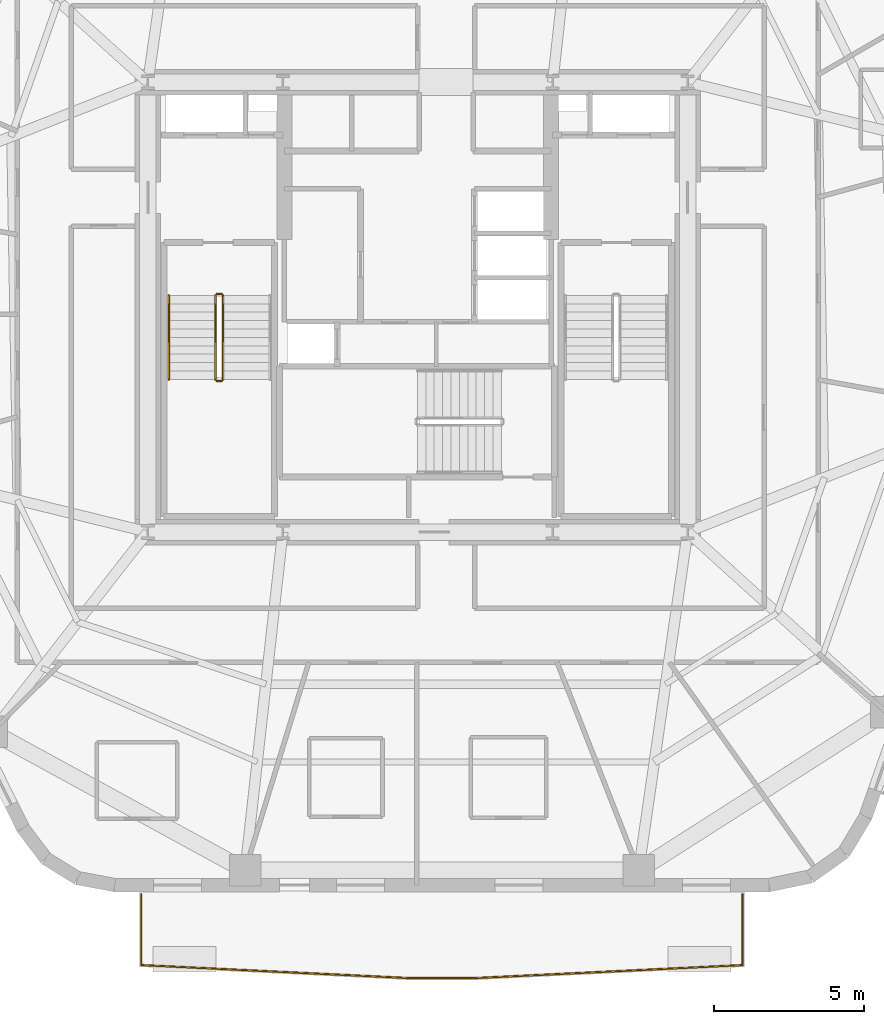
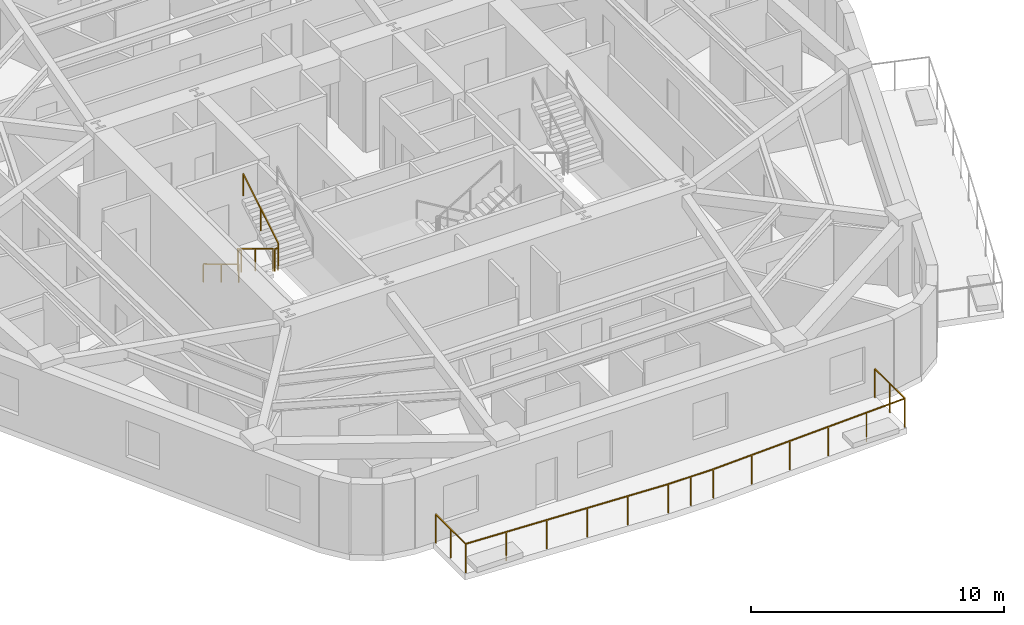
# One storey, part 8 of 11: 6 railings.
"""IFC4 building model written with IfcOpenShell, lengths in metres."""

from ifc_helpers import new_model, si_unit, direction, frame, origin, origin_2d, place, context, subcontext, project, spatial, rectangle, extrude, material, layer, layer_set, type_object, element, save


model = new_model("IFC4")

# Units and contexts
model_context = context("Model", 3, precision=1e-05, world=origin(), true_north=direction((0.0, 1.0)))
body_context = subcontext(model_context, "Body", "Model", "MODEL_VIEW")
ifc_project = project(units=[si_unit("LENGTHUNIT", "METRE"), si_unit("AREAUNIT", "SQUARE_METRE"), si_unit("VOLUMEUNIT", "CUBIC_METRE"), si_unit("PLANEANGLEUNIT", "RADIAN"), si_unit("MASSUNIT", "GRAM", prefix="KILO")], contexts=[model_context])

# Site, building, storey
site_placement = place(None, origin())
site = spatial("IfcSite", under=ifc_project, at=site_placement, CompositionType="ELEMENT")
building_placement = place(site_placement, origin())
building = spatial("IfcBuilding", under=site, at=building_placement, Name="Kilnhurst Terrace Hotel", CompositionType="ELEMENT")
storey_placement = place(building_placement, frame((0.0, 0.0, 162.800048828125)))
storey = spatial("IfcBuildingStorey", under=building, at=storey_placement, Name="L40", CompositionType="ELEMENT", Elevation=162.800048828125)

# Railings
ifc_material_1 = material(Name="Laminated SentryGlas and Stainless Steel AISI 316L Balustrade", Category="steel")
ifc_layer_1 = layer(ifc_material_1, 0.070068359375, Name="Laminated SentryGlas and Stainless Steel AISI 316L Balustrade")
ifc_layer_set_1 = layer_set([ifc_layer_1], Name="Laminated SentryGlas and Stainless Steel AISI 316L Balustrade")
railing_type_1 = type_object("IfcRailingType", Name="RLG-BAL-1420", PredefinedType="BALUSTRADE", material=ifc_layer_set_1)
railing_1_placement = place(storey_placement, frame((10.83349609375, -19.580078125, 0.0)))
element("IfcRailing", 1, at=railing_1_placement, inside=storey, type_object=railing_type_1, Name="L40 Exterior Terrace Guardrail BAL-L1A.1", PredefinedType="BALUSTRADE", context=body_context, shape_type="SweptSolid", body=[
    extrude(rectangle(XDim=0.048095703125, YDim=0.048095703125, at=origin_2d()), frame((0.0, 0.0, 1.39599609375), z_axis=(0.0, -1.0, 0.0), x_axis=(1.0, 0.0, 0.0)), (0.0, 0.0, 1.0), 2.36279296875),
    extrude(rectangle(XDim=0.048095703125, YDim=0.048095703125, at=origin_2d()), frame((0.0, -2.36279296875, 1.39599609375), z_axis=(-0.998822813861, -0.048507592295, 0.0), x_axis=(0.048507592295, -0.998822813861, 0.0)), (0.0, 0.0, 1.0), 9.009033203125),
    extrude(rectangle(XDim=0.048095703125, YDim=0.048095703125, at=origin_2d()), frame((-8.99853515625, -2.7998046875, 1.39599609375), z_axis=(-1.0, 0.0, 0.0), x_axis=(0.0, -1.0, 0.0)), (0.0, 0.0, 1.0), 2.0556640625),
    extrude(rectangle(XDim=0.048095703125, YDim=0.048095703125, at=origin_2d()), frame((-11.05419921875, -2.7998046875, 1.39599609375), z_axis=(-0.998822813861, 0.048507592295, 0.0), x_axis=(-0.048507592295, -0.998822813861, 0.0)), (0.0, 0.0, 1.0), 9.009033203125),
    extrude(rectangle(XDim=0.048095703125, YDim=0.048095703125, at=origin_2d()), frame((-20.052734375, -2.36279296875, 1.39599609375), z_axis=(0.0, 1.0, 0.0), x_axis=(-1.0, 0.0, 0.0)), (0.0, 0.0, 1.0), 2.36279296875),
    extrude(rectangle(XDim=0.0419921875, YDim=0.0419921875, at=origin_2d()), origin(), (0.0, 0.0, 1.0), 1.371826171875),
    extrude(rectangle(XDim=0.0419921875, YDim=0.0419921875, at=origin_2d()), frame((0.0, -1.181396484375, 0.0)), (0.0, 0.0, 1.0), 1.371826171875),
    extrude(rectangle(XDim=0.0419921875, YDim=0.0419921875, at=origin_2d()), frame((0.0, -2.36279296875, 0.0)), (0.0, 0.0, 1.0), 1.371826171875),
    extrude(rectangle(XDim=0.0419921875, YDim=0.0419921875, at=origin_2d()), frame((-1.7998046875, -2.4501953125, 0.0)), (0.0, 0.0, 1.0), 1.371826171875),
    extrude(rectangle(XDim=0.0419921875, YDim=0.0419921875, at=origin_2d()), frame((-3.599365234375, -2.53759765625, 0.0)), (0.0, 0.0, 1.0), 1.371826171875),
    extrude(rectangle(XDim=0.0419921875, YDim=0.0419921875, at=origin_2d()), frame((-5.399169921875, -2.625, 0.0)), (0.0, 0.0, 1.0), 1.371826171875),
    extrude(rectangle(XDim=0.0419921875, YDim=0.0419921875, at=origin_2d()), frame((-7.19873046875, -2.71240234375, 0.0)), (0.0, 0.0, 1.0), 1.371826171875),
    extrude(rectangle(XDim=0.0419921875, YDim=0.0419921875, at=origin_2d()), frame((-8.99853515625, -2.7998046875, 0.0)), (0.0, 0.0, 1.0), 1.371826171875),
    extrude(rectangle(XDim=0.0419921875, YDim=0.0419921875, at=origin_2d()), frame((-10.0263671875, -2.7998046875, 0.0)), (0.0, 0.0, 1.0), 1.371826171875),
    extrude(rectangle(XDim=0.0419921875, YDim=0.0419921875, at=origin_2d()), frame((-11.05419921875, -2.7998046875, 0.0)), (0.0, 0.0, 1.0), 1.371826171875),
    extrude(rectangle(XDim=0.0419921875, YDim=0.0419921875, at=origin_2d()), frame((-12.85400390625, -2.71240234375, 0.0)), (0.0, 0.0, 1.0), 1.371826171875),
    extrude(rectangle(XDim=0.0419921875, YDim=0.0419921875, at=origin_2d()), frame((-14.653564453125, -2.625, 0.0)), (0.0, 0.0, 1.0), 1.371826171875),
    extrude(rectangle(XDim=0.0419921875, YDim=0.0419921875, at=origin_2d()), frame((-16.453369140625, -2.53759765625, 0.0)), (0.0, 0.0, 1.0), 1.371826171875),
    extrude(rectangle(XDim=0.0419921875, YDim=0.0419921875, at=origin_2d()), frame((-18.2529296875, -2.4501953125, 0.0)), (0.0, 0.0, 1.0), 1.371826171875),
    extrude(rectangle(XDim=0.0419921875, YDim=0.0419921875, at=origin_2d()), frame((-20.052734375, -2.36279296875, 0.0)), (0.0, 0.0, 1.0), 1.371826171875),
    extrude(rectangle(XDim=0.0419921875, YDim=0.0419921875, at=origin_2d()), frame((-20.052734375, -1.181396484375, 0.0)), (0.0, 0.0, 1.0), 1.371826171875),
    extrude(rectangle(XDim=0.0419921875, YDim=0.0419921875, at=origin_2d()), frame((-20.052734375, 0.0, 0.0)), (0.0, 0.0, 1.0), 1.371826171875),
])
ifc_material_2 = material(Name="Powder-Coated Steel ASTM A500 Grade B", Category="steel")
ifc_layer_2 = layer(ifc_material_2, 0.050048828125, Name="Powder-Coated Steel ASTM A500 Grade B")
ifc_layer_set_2 = layer_set([ifc_layer_2], Name="Powder-Coated Steel ASTM A500 Grade B")
railing_type_2 = type_object("IfcRailingType", Name="RLG-ST-GRD-1100", PredefinedType="GUARDRAIL", material=ifc_layer_set_2)
railing_2_placement = place(storey_placement, frame((-6.739990234375, 0.389892578125, 0.168212890625)))
element("IfcRailing", 2, at=railing_2_placement, inside=storey, type_object=railing_type_2, Name="L40 ST-1 stair guard 1", PredefinedType="GUARDRAIL", context=body_context, shape_type="SweptSolid", body=[
    extrude(rectangle(XDim=0.048095703125, YDim=0.048095703125, at=origin_2d()), frame((0.0, 0.0, 1.076171875), z_axis=(0.0, -0.857255387014, 0.514891446264), x_axis=(1.0, 0.0, 0.0)), (0.0, 0.0, 1.0), 3.26611328125),
    extrude(rectangle(XDim=0.0419921875, YDim=0.0419921875, at=origin_2d()), origin(), (0.0, 0.0, 1.0), 1.052001953125),
    extrude(rectangle(XDim=0.0419921875, YDim=0.0419921875, at=origin_2d()), frame((0.0, -1.39990234375, 0.8408203125)), (0.0, 0.0, 1.0), 1.052001953125),
    extrude(rectangle(XDim=0.0419921875, YDim=0.0419921875, at=origin_2d()), frame((0.0, -2.7998046875, 1.681640625)), (0.0, 0.0, 1.0), 1.052001953125),
])
railing_3_placement = place(storey_placement, frame((-6.68994140625, -2.4599609375, 1.849853515625)))
element("IfcRailing", 3, at=railing_3_placement, inside=storey, type_object=railing_type_2, Name="L40 ST-1 stair guard 2", PredefinedType="GUARDRAIL", context=body_context, shape_type="SweptSolid", body=[
    extrude(rectangle(XDim=0.048095703125, YDim=0.048095703125, at=origin_2d()), frame((0.0, 0.0, 1.076171875), z_axis=(1.0, 0.0, 0.0), x_axis=(0.0, 1.0, 0.0)), (0.0, 0.0, 1.0), 0.14990234375),
    extrude(rectangle(XDim=0.0419921875, YDim=0.0419921875, at=origin_2d()), origin(), (0.0, 0.0, 1.0), 1.052001953125),
    extrude(rectangle(XDim=0.0419921875, YDim=0.0419921875, at=origin_2d()), frame((0.14990234375, 0.0, 0.0)), (0.0, 0.0, 1.0), 1.052001953125),
])
railing_4_placement = place(storey_placement, frame((-6.489990234375, -2.409912109375, 2.01806640625)))
element("IfcRailing", 4, at=railing_4_placement, inside=storey, type_object=railing_type_2, Name="L40 ST-1 stair guard 3", PredefinedType="GUARDRAIL", context=body_context, shape_type="SweptSolid", body=[
    extrude(rectangle(XDim=0.048095703125, YDim=0.048095703125, at=origin_2d()), frame((0.0, 0.0, 1.076171875), z_axis=(0.0, 0.857222391501, 0.514946377315), x_axis=(-1.0, 0.0, 0.0)), (0.0, 0.0, 1.0), 3.26611328125),
    extrude(rectangle(XDim=0.0419921875, YDim=0.0419921875, at=origin_2d()), origin(), (0.0, 0.0, 1.0), 1.052001953125),
    extrude(rectangle(XDim=0.0419921875, YDim=0.0419921875, at=origin_2d()), frame((0.0, 1.39990234375, 0.8408203125)), (0.0, 0.0, 1.0), 1.052001953125),
    extrude(rectangle(XDim=0.0419921875, YDim=0.0419921875, at=origin_2d()), frame((0.0, 2.7998046875, 1.681884765625)), (0.0, 0.0, 1.0), 1.052001953125),
])
railing_5_placement = place(storey_placement, frame((-6.68994140625, 0.43994140625, 0.0)))
element("IfcRailing", 5, at=railing_5_placement, inside=storey, type_object=railing_type_2, Name="L40 ST-1 stair guard 4", PredefinedType="GUARDRAIL", context=body_context, shape_type="SweptSolid", body=[
    extrude(rectangle(XDim=0.048095703125, YDim=0.048095703125, at=origin_2d()), frame((0.0, 0.0, 1.076171875), z_axis=(1.0, 0.0, 0.0), x_axis=(0.0, 1.0, 0.0)), (0.0, 0.0, 1.0), 0.14990234375),
    extrude(rectangle(XDim=0.0419921875, YDim=0.0419921875, at=origin_2d()), origin(), (0.0, 0.0, 1.0), 1.052001953125),
    extrude(rectangle(XDim=0.0419921875, YDim=0.0419921875, at=origin_2d()), frame((0.14990234375, 0.0, 0.0)), (0.0, 0.0, 1.0), 1.052001953125),
])
ifc_material_3 = material(Name="Brushed Stainless Steel AISI 304", Category="steel")
ifc_layer_3 = layer(ifc_material_3, 0.048095703125, Name="Brushed Stainless Steel AISI 304")
ifc_layer_set_3 = layer_set([ifc_layer_3], Name="Brushed Stainless Steel AISI 304")
railing_type_3 = type_object("IfcRailingType", Name="RLG-ST-HRL-900", PredefinedType="HANDRAIL", material=ifc_layer_set_3)
railing_6_placement = place(storey_placement, frame((-8.300048828125, 0.389892578125, 0.168212890625)))
element("IfcRailing", 6, at=railing_6_placement, inside=storey, type_object=railing_type_3, Name="L40 ST-1 stair handrail 1", PredefinedType="HANDRAIL", context=body_context, shape_type="SweptSolid", body=[
    extrude(rectangle(XDim=0.048095703125, YDim=0.048095703125, at=origin_2d()), frame((0.0, 0.0, 0.8759765625), z_axis=(0.0, -0.857255387014, 0.514891446264), x_axis=(1.0, 0.0, 0.0)), (0.0, 0.0, 1.0), 3.26611328125),
    extrude(rectangle(XDim=0.0419921875, YDim=0.0419921875, at=origin_2d()), origin(), (0.0, 0.0, 1.0), 0.851806640625),
    extrude(rectangle(XDim=0.0419921875, YDim=0.0419921875, at=origin_2d()), frame((0.0, -1.39990234375, 0.8408203125)), (0.0, 0.0, 1.0), 0.851806640625),
    extrude(rectangle(XDim=0.0419921875, YDim=0.0419921875, at=origin_2d()), frame((0.0, -2.7998046875, 1.681640625)), (0.0, 0.0, 1.0), 0.851806640625),
])

save(model, "model.ifc")
